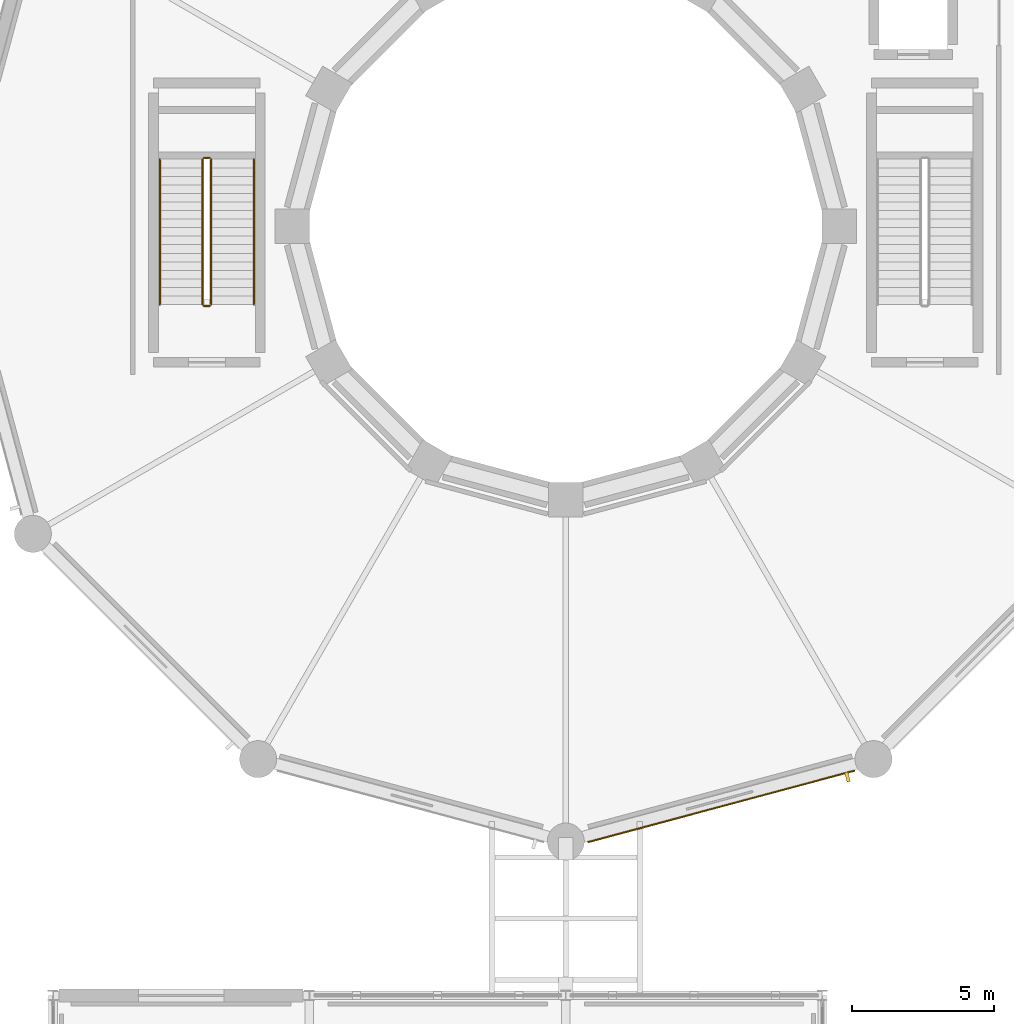
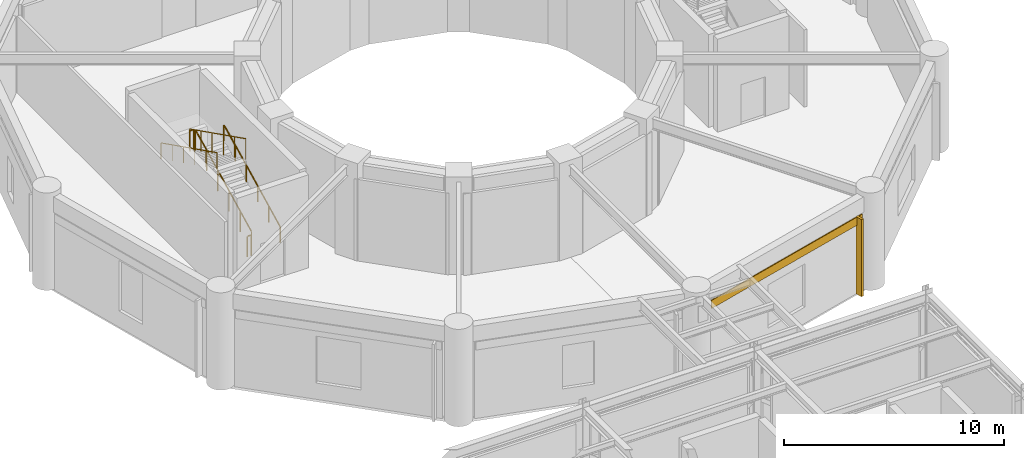
# One storey, part 158 of 166: 6 railings, 1 covering, 1 shading device.
"""IFC4 building model written with IfcOpenShell, lengths in metres."""

from ifc_helpers import new_model, si_unit, direction, frame, origin, origin_2d, place, context, subcontext, project, spatial, rectangle, circle, extrude, material, type_object, element, save


model = new_model("IFC4")

# Units and contexts
model_context = context("Model", 3, precision=1e-05, world=origin(), true_north=direction((0.0, 1.0)))
body_context = subcontext(model_context, "Body", "Model", "MODEL_VIEW")
ifc_project = project(units=[si_unit("LENGTHUNIT", "METRE"), si_unit("AREAUNIT", "SQUARE_METRE"), si_unit("VOLUMEUNIT", "CUBIC_METRE"), si_unit("PLANEANGLEUNIT", "RADIAN"), si_unit("MASSUNIT", "GRAM", prefix="KILO")], contexts=[model_context])

# Site, building, storey
site_placement = place(None, origin())
site = spatial("IfcSite", under=ifc_project, at=site_placement, CompositionType="ELEMENT")
building_placement = place(site_placement, origin())
building = spatial("IfcBuilding", under=site, at=building_placement, Name="Haizhuo Lancet Aquarium", CompositionType="ELEMENT")
storey_placement = place(building_placement, frame((0.0, 0.0, 5.39990234375)))
storey = spatial("IfcBuildingStorey", under=building, at=storey_placement, Name="L01", CompositionType="ELEMENT", Elevation=5.39990234375)

# Railings
ifc_material_1 = material(Name="Steel S355", Category="steel")
railing_type_1 = type_object("IfcRailingType", Name="RL-GRD-1150", PredefinedType="GUARDRAIL", material=ifc_material_1)
railing_1_placement = place(storey_placement, frame((-12.449951171875, -2.75, 0.150146484375)))
element("IfcRailing", 1, at=railing_1_placement, inside=storey, type_object=railing_type_1, Name="L01 ST-01 stair guard 1", PredefinedType="GUARDRAIL", context=body_context, shape_type="SweptSolid", body=[
    extrude(circle(Radius=0.02392578125, at=origin_2d()), frame((0.0, 0.02685546875, 1.13916015625), z_axis=(0.0, 0.894427191, 0.4472135955), x_axis=(-1.0, 0.0, 0.0)), (0.0, 0.0, 1.0), 5.64208984375),
    extrude(circle(Radius=0.02099609375, at=origin_2d()), origin(), (0.0, 0.0, 1.0), 1.097900390625),
    extrude(circle(Radius=0.02099609375, at=origin_2d()), frame((0.0, 1.02001953125, 0.510009765625)), (0.0, 0.0, 1.0), 1.097900390625),
    extrude(circle(Radius=0.02099609375, at=origin_2d()), frame((0.0, 2.0400390625, 1.02001953125)), (0.0, 0.0, 1.0), 1.097900390625),
    extrude(circle(Radius=0.02099609375, at=origin_2d()), frame((0.0, 3.06005859375, 1.530029296875)), (0.0, 0.0, 1.0), 1.097900390625),
    extrude(circle(Radius=0.02099609375, at=origin_2d()), frame((0.0, 4.080078125, 2.0400390625)), (0.0, 0.0, 1.0), 1.097900390625),
    extrude(circle(Radius=0.02099609375, at=origin_2d()), frame((0.0, 5.10009765625, 2.550048828125)), (0.0, 0.0, 1.0), 1.097900390625),
])
railing_2_placement = place(storey_placement, frame((-12.5, 2.39990234375, 2.7001953125)))
element("IfcRailing", 2, at=railing_2_placement, inside=storey, type_object=railing_type_1, Name="L01 ST-01 stair guard 2", PredefinedType="GUARDRAIL", context=body_context, shape_type="SweptSolid", body=[
    extrude(circle(Radius=0.02392578125, at=origin_2d()), frame((-0.030029296875, 0.0, 1.1259765625), z_axis=(-1.0, 0.0, 0.0), x_axis=(0.0, -1.0, 0.0)), (0.0, 0.0, 1.0), 0.139892578125),
    extrude(circle(Radius=0.02099609375, at=origin_2d()), origin(), (0.0, 0.0, 1.0), 1.097900390625),
    extrude(circle(Radius=0.02099609375, at=origin_2d()), frame((-0.199951171875, 0.0, 0.0)), (0.0, 0.0, 1.0), 1.097900390625),
])
railing_3_placement = place(storey_placement, frame((-12.75, 2.35009765625, 2.85009765625)))
element("IfcRailing", 3, at=railing_3_placement, inside=storey, type_object=railing_type_1, Name="L01 ST-01 stair guard 3", PredefinedType="GUARDRAIL", context=body_context, shape_type="SweptSolid", body=[
    extrude(circle(Radius=0.02392578125, at=origin_2d()), frame((0.0, -0.02685546875, 1.13916015625), z_axis=(0.0, -0.894427191, 0.4472135955), x_axis=(1.0, 0.0, 0.0)), (0.0, 0.0, 1.0), 5.64208984375),
    extrude(circle(Radius=0.02099609375, at=origin_2d()), origin(), (0.0, 0.0, 1.0), 1.097900390625),
    extrude(circle(Radius=0.02099609375, at=origin_2d()), frame((0.0, -1.02001953125, 0.510009765625)), (0.0, 0.0, 1.0), 1.097900390625),
    extrude(circle(Radius=0.02099609375, at=origin_2d()), frame((0.0, -2.0400390625, 1.02001953125)), (0.0, 0.0, 1.0), 1.097900390625),
    extrude(circle(Radius=0.02099609375, at=origin_2d()), frame((0.0, -3.06005859375, 1.530029296875)), (0.0, 0.0, 1.0), 1.097900390625),
    extrude(circle(Radius=0.02099609375, at=origin_2d()), frame((0.0, -4.080078125, 2.0400390625)), (0.0, 0.0, 1.0), 1.097900390625),
    extrude(circle(Radius=0.02099609375, at=origin_2d()), frame((0.0, -5.10009765625, 2.550048828125)), (0.0, 0.0, 1.0), 1.097900390625),
])
railing_4_placement = place(storey_placement, frame((-12.5, -2.800048828125, 0.0)))
element("IfcRailing", 4, at=railing_4_placement, inside=storey, type_object=railing_type_1, Name="L01 ST-01 stair guard 4", PredefinedType="GUARDRAIL", context=body_context, shape_type="SweptSolid", body=[
    extrude(circle(Radius=0.02392578125, at=origin_2d()), frame((-0.030029296875, 0.0, 1.1259765625), z_axis=(-1.0, 0.0, 0.0), x_axis=(0.0, -1.0, 0.0)), (0.0, 0.0, 1.0), 0.139892578125),
    extrude(circle(Radius=0.02099609375, at=origin_2d()), origin(), (0.0, 0.0, 1.0), 1.097900390625),
    extrude(circle(Radius=0.02099609375, at=origin_2d()), frame((-0.199951171875, 0.0, 0.0)), (0.0, 0.0, 1.0), 1.097900390625),
])
railing_type_2 = type_object("IfcRailingType", Name="RL-HDR-900", PredefinedType="HANDRAIL", material=ifc_material_1)
railing_5_placement = place(storey_placement, frame((-10.949951171875, -2.75, 0.150146484375)))
element("IfcRailing", 5, at=railing_5_placement, inside=storey, type_object=railing_type_2, Name="L01 ST-01 pitch handrail 1", PredefinedType="HANDRAIL", context=body_context, shape_type="SweptSolid", body=[
    extrude(circle(Radius=0.02392578125, at=origin_2d()), frame((0.0, 0.02685546875, 0.88916015625), z_axis=(0.0, 0.894427191, 0.4472135955), x_axis=(-1.0, 0.0, 0.0)), (0.0, 0.0, 1.0), 5.64208984375),
    extrude(circle(Radius=0.02099609375, at=origin_2d()), origin(), (0.0, 0.0, 1.0), 0.847900390625),
    extrude(circle(Radius=0.02099609375, at=origin_2d()), frame((0.0, 1.02001953125, 0.510009765625)), (0.0, 0.0, 1.0), 0.847900390625),
    extrude(circle(Radius=0.02099609375, at=origin_2d()), frame((0.0, 2.0400390625, 1.02001953125)), (0.0, 0.0, 1.0), 0.847900390625),
    extrude(circle(Radius=0.02099609375, at=origin_2d()), frame((0.0, 3.06005859375, 1.530029296875)), (0.0, 0.0, 1.0), 0.847900390625),
    extrude(circle(Radius=0.02099609375, at=origin_2d()), frame((0.0, 4.080078125, 2.0400390625)), (0.0, 0.0, 1.0), 0.847900390625),
    extrude(circle(Radius=0.02099609375, at=origin_2d()), frame((0.0, 5.10009765625, 2.550048828125)), (0.0, 0.0, 1.0), 0.847900390625),
])
railing_6_placement = place(storey_placement, frame((-14.25, 2.35009765625, 2.85009765625)))
element("IfcRailing", 6, at=railing_6_placement, inside=storey, type_object=railing_type_2, Name="L01 ST-01 pitch handrail 2", PredefinedType="HANDRAIL", context=body_context, shape_type="SweptSolid", body=[
    extrude(circle(Radius=0.02392578125, at=origin_2d()), frame((0.0, -0.02685546875, 0.88916015625), z_axis=(0.0, -0.894427191, 0.4472135955), x_axis=(1.0, 0.0, 0.0)), (0.0, 0.0, 1.0), 5.64208984375),
    extrude(circle(Radius=0.02099609375, at=origin_2d()), origin(), (0.0, 0.0, 1.0), 0.847900390625),
    extrude(circle(Radius=0.02099609375, at=origin_2d()), frame((0.0, -1.02001953125, 0.510009765625)), (0.0, 0.0, 1.0), 0.847900390625),
    extrude(circle(Radius=0.02099609375, at=origin_2d()), frame((0.0, -2.0400390625, 1.02001953125)), (0.0, 0.0, 1.0), 0.847900390625),
    extrude(circle(Radius=0.02099609375, at=origin_2d()), frame((0.0, -3.06005859375, 1.530029296875)), (0.0, 0.0, 1.0), 0.847900390625),
    extrude(circle(Radius=0.02099609375, at=origin_2d()), frame((0.0, -4.080078125, 2.0400390625)), (0.0, 0.0, 1.0), 0.847900390625),
    extrude(circle(Radius=0.02099609375, at=origin_2d()), frame((0.0, -5.10009765625, 2.550048828125)), (0.0, 0.0, 1.0), 0.847900390625),
])

# Covering
ifc_material_2 = material(Name="Shandong Grey Limestone Ashlar", Category="masonry")
covering_type = type_object("IfcCoveringType", Name="COV-CLD-STN", PredefinedType="CLADDING", material=ifc_material_2)
covering_placement = place(storey_placement, frame((5.45703125, -20.365966796875, 3.8251953125), z_axis=(0.0, 0.0, 1.0), x_axis=(-0.965932552716, -0.25879394043, 0.0)))
element("IfcCovering", 7, at=covering_placement, inside=storey, type_object=covering_type, material=ifc_material_2, Name="L01 limestone ashlar spandrel cladding 10", PredefinedType="CLADDING", context=body_context, shape_type="SweptSolid", body=[
    extrude(rectangle(XDim=9.69189453125, YDim=0.050048828125, at=origin_2d()), origin(), (0.0, 0.0, 1.0), 0.449951171875),
])

# Shading device
shading_device_type = type_object("IfcShadingDeviceType", Name="SHD-LAN-FIN", PredefinedType="JALOUSIE", material=ifc_material_2)
shading_device_placement = place(storey_placement, frame((9.885009765625, -19.3291015625, 0.000732421875), z_axis=(0.0, 0.0, 1.0), x_axis=(-0.965932552716, -0.25879394043, 0.0)))
element("IfcShadingDevice", 8, at=shading_device_placement, inside=storey, type_object=shading_device_type, material=ifc_material_2, Name="L01 Gothic lancet stone solar fin 10", PredefinedType="JALOUSIE", context=body_context, shape_type="SweptSolid", body=[
    extrude(rectangle(XDim=0.1201171875, YDim=0.35009765625, at=origin_2d()), origin(), (0.0, 0.0, 1.0), 4.27490234375),
])

save(model, "model.ifc")
